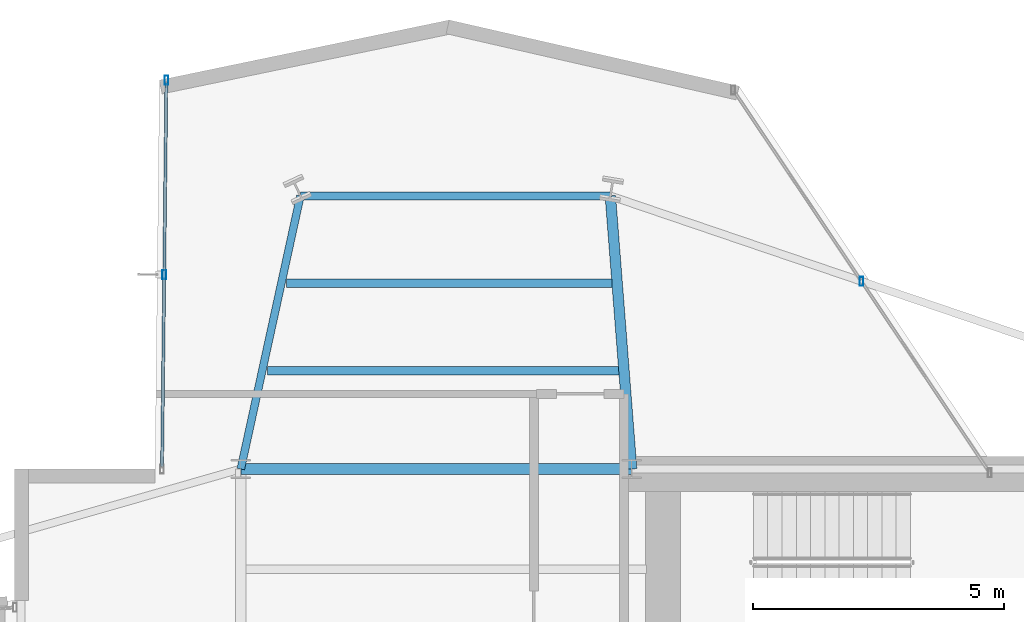
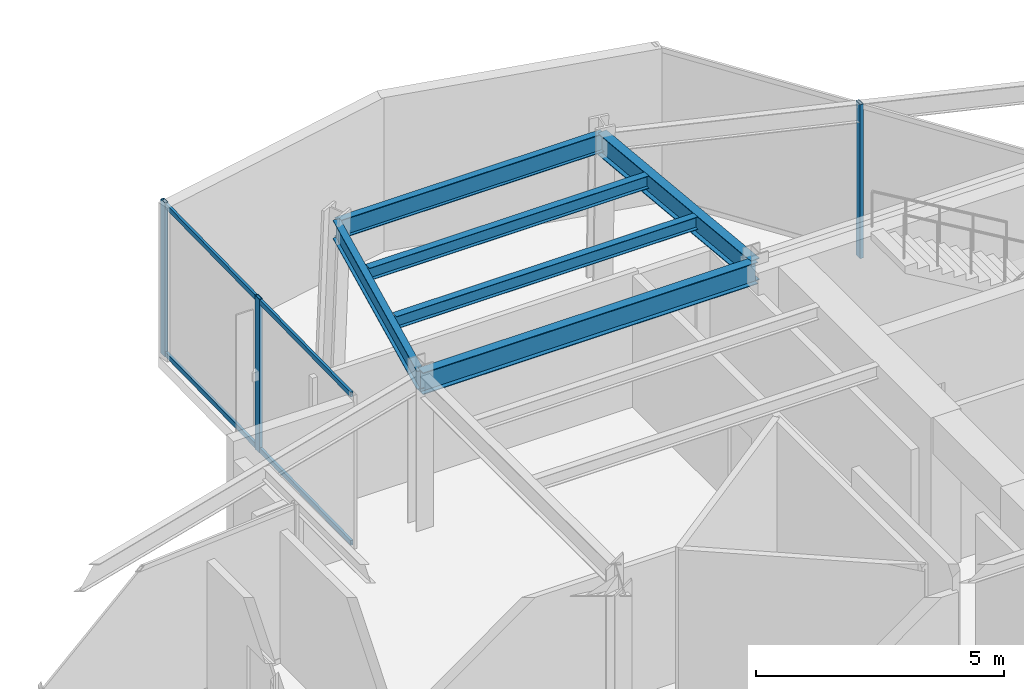
# One storey, part 12 of 21: 6 beams, 5 members, 2 elements without a shape of their own.
"""IFC4 building model written with IfcOpenShell, lengths in metres."""

import ifcopenshell
import ifcopenshell.guid

model = None  # the IFC model being written
_history = None  # IfcOwnerHistory: only IFC2X3 demands one
_inside = {}  # id of a spatial element -> (the spatial element, [elements in it])
_under = {}  # id of a project, library or spatial element -> (it, [spatial elements below it])
_declared = {}  # id of a project -> (the project, [libraries it declares])
_typed = {}  # id of a type object -> (the type object, [elements of that type])
_made_of = {}  # id of a material, layer set ... -> (it, [elements and type objects made of it])


def new_model(schema):
    """Start an empty IFC model of exactly this schema.

    Asked for "IFC4X3", IfcOpenShell would pick the latest addendum, in which some entities
    have other attributes; the version numbers below select the first issue.
    IFC2X3 requires an IfcOwnerHistory on every rooted entity: one is made here for all.
    """
    global model, _history
    if schema == "IFC4X3":
        model = ifcopenshell.file(schema_version=(4, 3, 0, 0))
    else:
        model = ifcopenshell.file(schema=schema)
    _inside.clear()
    _under.clear()
    _declared.clear()
    _typed.clear()
    _made_of.clear()
    _history = None
    if model.schema == "IFC2X3":
        org = make("IfcOrganization", Name="unknown")
        user = make(
            "IfcPersonAndOrganization",
            ThePerson=make("IfcPerson", FamilyName="unknown"),
            TheOrganization=org,
        )
        app = make(
            "IfcApplication",
            ApplicationDeveloper=org,
            Version="unknown",
            ApplicationFullName="unknown",
            ApplicationIdentifier="unknown",
        )
        _history = make(
            "IfcOwnerHistory",
            OwningUser=user,
            OwningApplication=app,
            ChangeAction="ADDED",
            CreationDate=0,
        )
    return model


def make(cls, **values):
    """One entity of the class cls with the attributes given. An attribute that is None is left unset."""
    return model.create_entity(
        cls, **{name: value for name, value in values.items() if value is not None}
    )


def rooted(cls, **values):
    """An entity with a GlobalId (a new one), such as an element, a storey or a relation."""
    return make(cls, GlobalId=ifcopenshell.guid.new(), OwnerHistory=_history, **values)


def si_unit(unit_type, name, prefix=None):
    """IfcSIUnit, for example si_unit("LENGTHUNIT", "METRE", prefix="MILLI")."""
    return make("IfcSIUnit", UnitType=unit_type, Prefix=prefix, Name=name)


def assignment(units):
    """IfcUnitAssignment: the units of a project."""
    return None if units is None else make("IfcUnitAssignment", Units=units)


def point(xyz):
    """IfcCartesianPoint."""
    return None if xyz is None else make("IfcCartesianPoint", Coordinates=xyz)


def direction(xyz):
    """IfcDirection."""
    return None if xyz is None else make("IfcDirection", DirectionRatios=xyz)


def frame(location, z_axis=None, x_axis=None):
    """IfcAxis2Placement3D, a coordinate frame: its origin and axes. An axis left out is left unset."""
    return make(
        "IfcAxis2Placement3D",
        Location=point(location),
        Axis=direction(z_axis),
        RefDirection=direction(x_axis),
    )


def frame_2d(location, x_axis=None):
    """IfcAxis2Placement2D, a coordinate frame in the plane: its origin and x axis."""
    return make(
        "IfcAxis2Placement2D", Location=point(location), RefDirection=direction(x_axis)
    )


def origin():
    """The frame at (0, 0, 0) with its axes left unset."""
    return frame((0.0, 0.0, 0.0))


def origin_2d():
    """The frame at (0, 0) in the plane with its x axis left unset."""
    return frame_2d((0.0, 0.0))


def place(relative_to, where):
    """IfcLocalPlacement: puts the frame where relative to a parent placement (None: the world)."""
    return make(
        "IfcLocalPlacement", PlacementRelTo=relative_to, RelativePlacement=where
    )


def context(
    kind, dimensions, precision=None, world=None, true_north=None, identifier=None
):
    """IfcGeometricRepresentationContext, for example the 3D "Model" context."""
    return make(
        "IfcGeometricRepresentationContext",
        ContextIdentifier=identifier,
        ContextType=kind,
        CoordinateSpaceDimension=dimensions,
        Precision=precision,
        WorldCoordinateSystem=world,
        TrueNorth=true_north,
    )


def subcontext(parent, identifier, kind, view, scale=None):
    """IfcGeometricRepresentationSubContext, for example "Body" below "Model"."""
    return make(
        "IfcGeometricRepresentationSubContext",
        ContextIdentifier=identifier,
        ContextType=kind,
        ParentContext=parent,
        TargetScale=scale,
        TargetView=view,
    )


def project(units=None, contexts=None):
    """IfcProject with its units and contexts."""
    return rooted(
        "IfcProject",
        Name="project",
        RepresentationContexts=contexts,
        UnitsInContext=assignment(units),
    )


def spatial(cls, under=None, at=None, **own):
    """A site, building, storey or space (cls), placed at a placement, below another one or the project."""
    s = rooted(cls, ObjectPlacement=at, **own)
    if under is not None:
        _under.setdefault(under.id(), (under, []))[1].append(s)
    return s


def profile(cls, at=None, kind="AREA", **sizes):
    """A parametric profile (cls). Its sizes go by their IFC names, for example OverallWidth=200.0."""
    return make(cls, ProfileType=kind, Position=at, **sizes)


def hollow_rectangle(**sizes):
    """IfcRectangleHollowProfileDef."""
    return profile("IfcRectangleHollowProfileDef", **sizes)


def i_section(**sizes):
    """IfcIShapeProfileDef."""
    return profile("IfcIShapeProfileDef", **sizes)


def extrude(swept, where, along, depth):
    """IfcExtrudedAreaSolid: the profile swept, set in the frame where, extruded along a direction by depth."""
    return make(
        "IfcExtrudedAreaSolid",
        SweptArea=swept,
        Position=where,
        ExtrudedDirection=direction(along),
        Depth=depth,
    )


def shape(context_of_items, identifier, shape_type, items):
    """IfcShapeRepresentation: the items that make up one representation, for example the "Body"."""
    return make(
        "IfcShapeRepresentation",
        ContextOfItems=context_of_items,
        RepresentationIdentifier=identifier,
        RepresentationType=shape_type,
        Items=items,
    )


def material(Name=None, Category=None):
    """IfcMaterial."""
    return make("IfcMaterial", Name=Name, Category=Category)


def layer(
    of_material, thickness, ventilated=None, Name=None, Category=None, Priority=None
):
    """IfcMaterialLayer: one layer of a wall or slab, of a material (None: an air gap)."""
    return make(
        "IfcMaterialLayer",
        Material=of_material,
        LayerThickness=thickness,
        IsVentilated=ventilated,
        Name=Name,
        Category=Category,
        Priority=Priority,
    )


def layer_set(layers, Name=None):
    """IfcMaterialLayerSet."""
    return make("IfcMaterialLayerSet", MaterialLayers=layers, LayerSetName=Name)


def material_profile(
    of_material, cross_section, Name=None, Category=None, Priority=None
):
    """IfcMaterialProfile: a cross section and its material."""
    return make(
        "IfcMaterialProfile",
        Name=Name,
        Material=of_material,
        Profile=cross_section,
        Priority=Priority,
        Category=Category,
    )


def profile_set(profiles, Name=None, composite=None):
    """IfcMaterialProfileSet."""
    return make(
        "IfcMaterialProfileSet",
        Name=Name,
        MaterialProfiles=profiles,
        CompositeProfile=composite,
    )


def made_of(thing, what):
    """Note that an element or type object is made of a material, layer set ...; save() writes the relation."""
    if what is not None:
        _made_of.setdefault(what.id(), (what, []))[1].append(thing)
    return thing


def type_object(cls, material=None, **own):
    """A type object (cls), such as IfcWallType, which elements share."""
    return made_of(rooted(cls, **own), material)


def element(
    cls,
    number,
    at=None,
    inside=None,
    cuts=None,
    type_object=None,
    material=None,
    context=None,
    identifier="Body",
    shape_type=None,
    held_by="IfcProductDefinitionShape",
    body=None,
    shapes=None,
    **own,
):
    """One element of the class cls, such as IfcWall. Its Tag is "e" and its number.

    at: its placement. inside: the storey or other place that contains it. cuts: it is an
    opening in that element (IfcRelVoidsElement). A single representation is given by context,
    identifier, shape_type and body (its items); several are given by shapes. held_by: the class
    of the entity that holds the representations. save() writes the other relations.
    """
    e = rooted(cls, Tag="e%d" % number, ObjectPlacement=at, **own)
    if body is not None:
        shapes = [shape(context, identifier, shape_type, body)]
    if shapes is not None:
        e.Representation = make(held_by, Representations=shapes)
    if inside is not None:
        _inside.setdefault(inside.id(), (inside, []))[1].append(e)
    if cuts is not None:
        rooted(
            "IfcRelVoidsElement", RelatingBuildingElement=cuts, RelatedOpeningElement=e
        )
    if type_object is not None:
        _typed.setdefault(type_object.id(), (type_object, []))[1].append(e)
    return made_of(e, material)


def aggregate(whole, parts):
    """IfcRelAggregates: a whole, such as a stair, and the parts it consists of."""
    return rooted("IfcRelAggregates", RelatingObject=whole, RelatedObjects=parts)


def save(model, path):
    """Write the relations noted so far, then the file.

    IfcRelAggregates (storeys below a building ...), IfcRelContainedInSpatialStructure (elements
    in a storey), IfcRelDefinesByType, IfcRelAssociatesMaterial and IfcRelDeclares: one each for
    every whole, place, type object, material and project.
    """
    for whole, parts in _under.values():
        aggregate(whole, parts)
    for where, things in _inside.values():
        rooted(
            "IfcRelContainedInSpatialStructure",
            RelatedElements=things,
            RelatingStructure=where,
        )
    for kind, things in _typed.values():
        rooted("IfcRelDefinesByType", RelatedObjects=things, RelatingType=kind)
    for what, things in _made_of.values():
        rooted("IfcRelAssociatesMaterial", RelatedObjects=things, RelatingMaterial=what)
    for by, libraries in _declared.values():
        rooted("IfcRelDeclares", RelatingContext=by, RelatedDefinitions=libraries)
    model.write(path)


model = new_model("IFC4")

# Units and contexts
model_context = context("Model", 3, precision=1e-05, world=origin(), true_north=direction((0.0, 1.0)))
body_context = subcontext(model_context, "Body", "Model", "MODEL_VIEW")
ifc_project = project(units=[si_unit("LENGTHUNIT", "METRE"), si_unit("AREAUNIT", "SQUARE_METRE"), si_unit("VOLUMEUNIT", "CUBIC_METRE"), si_unit("PLANEANGLEUNIT", "RADIAN"), si_unit("MASSUNIT", "GRAM", prefix="KILO")], contexts=[model_context])

# Site, building, storey
site_placement = place(None, origin())
site = spatial("IfcSite", under=ifc_project, at=site_placement, CompositionType="ELEMENT")
building_placement = place(site_placement, origin())
building = spatial("IfcBuilding", under=site, at=building_placement, Name="Veymaron Broadcast Tower", CompositionType="ELEMENT")
storey_placement = place(building_placement, frame((0.0, 0.0, 212.10009765625)))
storey = spatial("IfcBuildingStorey", under=building, at=storey_placement, Name="L49", CompositionType="ELEMENT", Elevation=212.10009765625)

# Beams
ifc_material_1 = material(Name="Structural steel ASTM A992 Gr 50", Category="steel")
ifc_material_profile_1 = material_profile(ifc_material_1, i_section(OverallWidth=0.2099609375, OverallDepth=0.537109375, WebThickness=0.010986328125, FlangeThickness=0.017333984375, at=origin_2d()), Name="W530X101")
ifc_profile_set_1 = profile_set([ifc_material_profile_1], Name="Structural steel ASTM A992 Gr 50")
beam_type_1 = type_object("IfcBeamType", Name="BM-FG3", PredefinedType="BEAM", material=ifc_profile_set_1)
beam_1_placement = place(storey_placement, frame((31.199951171875, 32.0, 3.521484375), z_axis=(1.0, 0.0, 0.0), x_axis=(0.0, 1.0, 0.0)))
element("IfcBeam", 1, at=beam_1_placement, inside=storey, type_object=beam_type_1, Name="L49 primary structural floor girder", PredefinedType="BEAM", context=body_context, shape_type="SweptSolid", body=[
    extrude(i_section(OverallWidth=0.2099609375, OverallDepth=0.537109375, WebThickness=0.010986328125, FlangeThickness=0.017333984375, at=origin_2d()), origin(), (0.0, 0.0, 1.0), 7.800048828125),
])
beam_2_placement = place(storey_placement, frame((39.0, 32.0, 3.521484375), z_axis=(-0.077755189345, 0.996972482333, 0.0), x_axis=(-0.996972482333, -0.077755189345, 0.0)))
element("IfcBeam", 2, at=beam_2_placement, inside=storey, type_object=beam_type_1, Name="L49 primary structural floor girder", PredefinedType="BEAM", context=body_context, shape_type="SweptSolid", body=[
    extrude(i_section(OverallWidth=0.2099609375, OverallDepth=0.537109375, WebThickness=0.010986328125, FlangeThickness=0.017333984375, at=origin_2d()), origin(), (0.0, 0.0, 1.0), 5.466552734375),
])
ifc_material_profile_2 = material_profile(ifc_material_1, i_section(OverallWidth=0.1650390625, OverallDepth=0.31005859375, WebThickness=0.005859375, FlangeThickness=0.009765625, at=origin_2d()), Name="W310X39")
ifc_profile_set_2 = profile_set([ifc_material_profile_2], Name="Structural steel ASTM A992 Gr 50")
beam_type_2 = type_object("IfcBeamType", Name="BM-JS3", PredefinedType="JOIST", material=ifc_profile_set_2)
beam_3_placement = place(storey_placement, frame((31.728515625, 33.9619140625, 3.635009765625), z_axis=(1.0, 0.0, 0.0), x_axis=(0.0, 1.0, 0.0)))
element("IfcBeam", 3, at=beam_3_placement, inside=storey, type_object=beam_type_2, Name="L49 Arm-B secondary joist 1", PredefinedType="JOIST", context=body_context, shape_type="SweptSolid", body=[
    extrude(i_section(OverallWidth=0.1650390625, OverallDepth=0.31005859375, WebThickness=0.005859375, FlangeThickness=0.009765625, at=origin_2d()), origin(), (0.0, 0.0, 1.0), 7.0185546875),
])
beam_4_placement = place(storey_placement, frame((32.109130859375, 35.7060546875, 3.635009765625), z_axis=(1.0, 0.0, 0.0), x_axis=(0.0, 1.0, 0.0)))
element("IfcBeam", 4, at=beam_4_placement, inside=storey, type_object=beam_type_2, Name="L49 Arm-B secondary joist 2", PredefinedType="JOIST", context=body_context, shape_type="SweptSolid", body=[
    extrude(i_section(OverallWidth=0.1650390625, OverallDepth=0.31005859375, WebThickness=0.005859375, FlangeThickness=0.009765625, at=origin_2d()), origin(), (0.0, 0.0, 1.0), 6.501953125),
])
ifc_material_profile_3 = material_profile(ifc_material_1, i_section(OverallWidth=0.154052734375, OverallDepth=0.458984375, WebThickness=0.009033203125, FlangeThickness=0.015380859375, at=origin_2d()), Name="W460X68")
ifc_profile_set_3 = profile_set([ifc_material_profile_3], Name="Structural steel ASTM A992 Gr 50")
beam_type_3 = type_object("IfcBeamType", Name="BM-SP2", PredefinedType="SPANDREL", material=ifc_profile_set_3)
beam_5_placement = place(storey_placement, frame((31.199951171875, 32.0, 3.560302734375), z_axis=(0.21331443187, 0.976983599226, 0.0), x_axis=(-0.976983599226, 0.21331443187, 0.0)))
element("IfcBeam", 5, at=beam_5_placement, inside=storey, type_object=beam_type_3, Name="L49 primary structural floor girder", PredefinedType="SPANDREL", context=body_context, shape_type="SweptSolid", body=[
    extrude(i_section(OverallWidth=0.154052734375, OverallDepth=0.458984375, WebThickness=0.009033203125, FlangeThickness=0.015380859375, at=origin_2d()), origin(), (0.0, 0.0, 1.0), 5.578369140625),
])
beam_6_placement = place(storey_placement, frame((32.389892578125, 37.449951171875, 3.560302734375), z_axis=(1.0, 0.0, 0.0), x_axis=(0.0, 1.0, 0.0)))
element("IfcBeam", 6, at=beam_6_placement, inside=storey, type_object=beam_type_3, Name="L49 primary structural floor girder", PredefinedType="SPANDREL", context=body_context, shape_type="SweptSolid", body=[
    extrude(i_section(OverallWidth=0.154052734375, OverallDepth=0.458984375, WebThickness=0.009033203125, FlangeThickness=0.015380859375, at=origin_2d()), origin(), (0.0, 0.0, 1.0), 6.18505859375),
])

# Curtain wall, member
ifc_material_2 = material(Name="Anodised aluminium AA 6063-T6 and laminated low-E dark glass", Category="aluminium")
ifc_layer = layer(ifc_material_2, 0.179931640625)
ifc_layer_set = layer_set([ifc_layer], Name="Anodised aluminium AA 6063-T6 and laminated low-E dark glass")
curtain_wall_type = type_object("IfcCurtainWallType", Name="CW-SYS-05", PredefinedType="NOTDEFINED", material=ifc_layer_set)
curtain_wall_1_placement = place(storey_placement, origin())
curtain_wall_1 = element("IfcCurtainWall", 7, at=curtain_wall_1_placement, inside=storey, type_object=curtain_wall_type, Name="L49 dark-glass curtain wall CW-L49-E5-1", PredefinedType="NOTDEFINED")
ifc_material_3 = material(Name="Anodised aluminium AA 6063-T6", Category="aluminium")
ifc_material_profile_4 = material_profile(ifc_material_3, hollow_rectangle(XDim=0.074951171875, YDim=0.179931640625, WallThickness=0.0048828125, at=origin_2d()), Name="AL180X75X5")
ifc_profile_set_4 = profile_set([ifc_material_profile_4], Name="Anodised aluminium AA 6063-T6")
member_type_1 = type_object("IfcMemberType", Name="CW-MUL-02", PredefinedType="MULLION", material=ifc_profile_set_4)
member_1_placement = place(storey_placement, frame((43.587890625, 35.7421875, 0.0), z_axis=(0.0, 0.0, 1.0), x_axis=(1.0, 0.0, 0.0)))
member_1 = element("IfcMember", 8, at=member_1_placement, type_object=member_type_1, Name="CW-L49-E5-1 mullion 1", PredefinedType="MULLION", context=body_context, shape_type="SweptSolid", body=[
    extrude(hollow_rectangle(XDim=0.074951171875, YDim=0.179931640625, WallThickness=0.0048828125, at=origin_2d()), origin(), (0.0, 0.0, 1.0), 3.789794921875),
])
aggregate(curtain_wall_1, [member_1])

# Curtain wall, members
curtain_wall_2_placement = place(storey_placement, origin())
curtain_wall_2 = element("IfcCurtainWall", 9, at=curtain_wall_2_placement, inside=storey, type_object=curtain_wall_type, Name="L49 dark-glass curtain wall CW-L49-E8-1", PredefinedType="NOTDEFINED")
member_2_placement = place(storey_placement, frame((29.715576171875, 39.75830078125, 0.0), z_axis=(0.0, 0.0, 1.0), x_axis=(1.0, 0.0, 0.0)))
member_2 = element("IfcMember", 10, at=member_2_placement, type_object=member_type_1, Name="CW-L49-E8-1 mullion 0", PredefinedType="MULLION", context=body_context, shape_type="SweptSolid", body=[
    extrude(hollow_rectangle(XDim=0.074951171875, YDim=0.179931640625, WallThickness=0.0048828125, at=origin_2d()), origin(), (0.0, 0.0, 1.0), 3.789794921875),
])
member_3_placement = place(storey_placement, frame((29.672119140625, 35.87841796875, 0.0), z_axis=(0.0, 0.0, 1.0), x_axis=(1.0, 0.0, 0.0)))
member_3 = element("IfcMember", 11, at=member_3_placement, type_object=member_type_1, Name="CW-L49-E8-1 mullion 1", PredefinedType="MULLION", context=body_context, shape_type="SweptSolid", body=[
    extrude(hollow_rectangle(XDim=0.074951171875, YDim=0.179931640625, WallThickness=0.0048828125, at=origin_2d()), origin(), (0.0, 0.0, 1.0), 3.789794921875),
])
ifc_material_profile_5 = material_profile(ifc_material_3, hollow_rectangle(XDim=0.06005859375, YDim=0.1201171875, WallThickness=0.00390625, at=origin_2d()), Name="AL120X60X4")
ifc_profile_set_5 = profile_set([ifc_material_profile_5], Name="Anodised aluminium AA 6063-T6")
member_type_2 = type_object("IfcMemberType", Name="CW-TRN-02", PredefinedType="USERDEFINED", material=ifc_profile_set_5)
member_4_placement = place(storey_placement, frame((29.71484375, 39.70849609375, 0.06982421875), z_axis=(-0.011154328977, -0.999937788537, 0.0), x_axis=(0.999937788537, -0.011154328977, 0.0)))
member_4 = element("IfcMember", 12, at=member_4_placement, type_object=member_type_2, Name="CW-L49-E8-1 transom B", ObjectType="TRANSOM", PredefinedType="USERDEFINED", context=body_context, shape_type="SweptSolid", body=[
    extrude(hollow_rectangle(XDim=0.06005859375, YDim=0.1201171875, WallThickness=0.00390625, at=origin_2d()), origin(), (0.0, 0.0, 1.0), 7.66064453125),
])
member_5_placement = place(storey_placement, frame((29.71484375, 39.70849609375, 3.719970703125), z_axis=(-0.011154328977, -0.999937788537, 0.0), x_axis=(0.999937788537, -0.011154328977, 0.0)))
member_5 = element("IfcMember", 13, at=member_5_placement, type_object=member_type_2, Name="CW-L49-E8-1 transom T", ObjectType="TRANSOM", PredefinedType="USERDEFINED", context=body_context, shape_type="SweptSolid", body=[
    extrude(hollow_rectangle(XDim=0.06005859375, YDim=0.1201171875, WallThickness=0.00390625, at=origin_2d()), origin(), (0.0, 0.0, 1.0), 7.66064453125),
])
aggregate(curtain_wall_2, [member_2, member_3, member_4, member_5])

save(model, "model.ifc")
